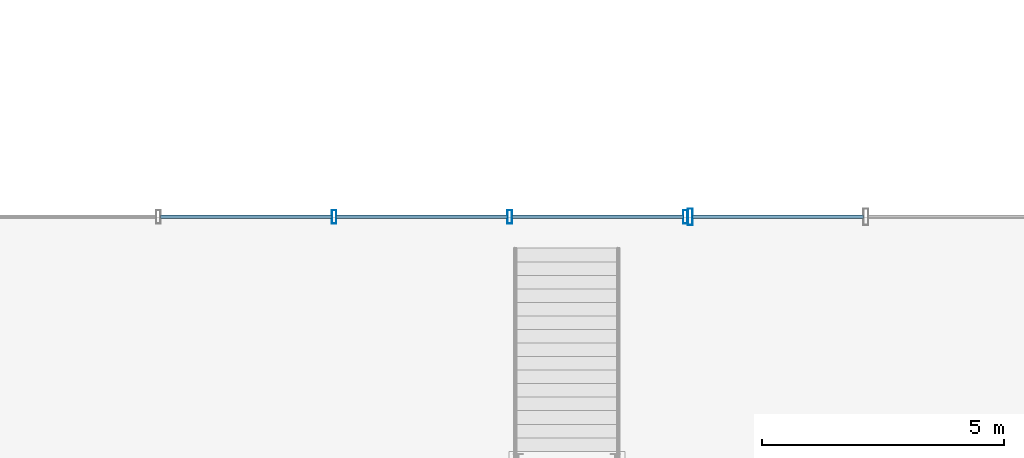
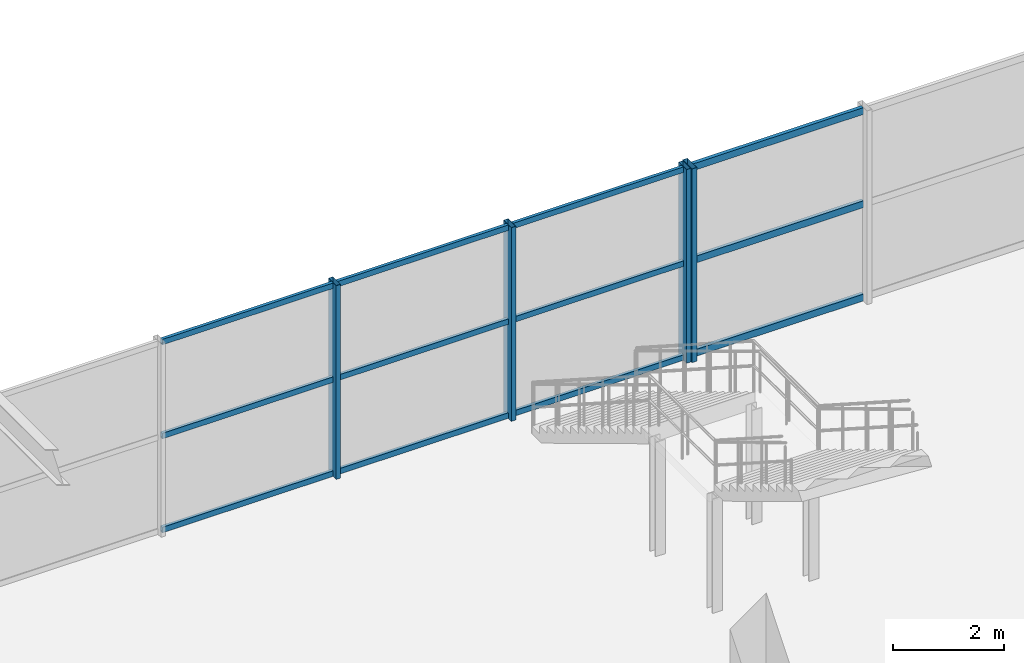
# One storey, part 26 of 113: 16 members, 2 elements without a shape of their own.
"""IFC4 building model written with IfcOpenShell, lengths in metres."""

from ifc_helpers import new_model, si_unit, direction, frame, origin, origin_2d, place, context, subcontext, project, spatial, hollow_rectangle, extrude, material, layer, layer_set, material_profile, profile_set, type_object, element, aggregate, save


model = new_model("IFC4")

# Units and contexts
model_context = context("Model", 3, precision=1e-05, world=origin(), true_north=direction((0.0, 1.0)))
body_context = subcontext(model_context, "Body", "Model", "MODEL_VIEW")
ifc_project = project(units=[si_unit("LENGTHUNIT", "METRE"), si_unit("AREAUNIT", "SQUARE_METRE"), si_unit("VOLUMEUNIT", "CUBIC_METRE"), si_unit("PLANEANGLEUNIT", "RADIAN"), si_unit("MASSUNIT", "GRAM", prefix="KILO"), si_unit("POWERUNIT", "WATT"), si_unit("THERMODYNAMICTEMPERATUREUNIT", "KELVIN")], contexts=[model_context])

# Site, building, storey
site_placement = place(None, origin())
site = spatial("IfcSite", under=ifc_project, at=site_placement, CompositionType="ELEMENT")
building_placement = place(site_placement, origin())
building = spatial("IfcBuilding", under=site, at=building_placement, Name="Kelmbourne Parkland Aquatics Centre", CompositionType="ELEMENT")
storey_placement = place(building_placement, origin())
storey = spatial("IfcBuildingStorey", under=building, at=storey_placement, Name="L00", CompositionType="ELEMENT", Elevation=0.0)

# Curtain wall, members
ifc_material = material(Name="Thermally broken anodised aluminium framing", Category="aluminium")
ifc_layer_1 = layer(ifc_material, 0.179931640625)
ifc_layer_set_1 = layer_set([ifc_layer_1], Name="Thermally broken anodised aluminium framing")
curtain_wall_type_1 = type_object("IfcCurtainWallType", Name="CW-24", PredefinedType="NOTDEFINED", material=ifc_layer_set_1)
curtain_wall_1_placement = place(storey_placement, origin())
curtain_wall_1 = element("IfcCurtainWall", 1, at=curtain_wall_1_placement, inside=storey, type_object=curtain_wall_type_1, Name="Facade curtain wall CW-L00-168", PredefinedType="NOTDEFINED")
ifc_material_profile_1 = material_profile(ifc_material, hollow_rectangle(XDim=0.094970703125, YDim=0.280029296875, WallThickness=0.005615234375, at=origin_2d()), Name="CW-M 95x280")
ifc_profile_set_1 = profile_set([ifc_material_profile_1], Name="Thermally broken anodised aluminium framing")
member_type_1 = type_object("IfcMemberType", Name="MB-MUL-4", PredefinedType="MULLION", material=ifc_profile_set_1)
member_1_placement = place(storey_placement, frame((53.6884765625, 23.60009765625, 0.0), z_axis=(0.0, 0.0, 1.0), x_axis=(1.0, 0.0, 0.0)))
member_1 = element("IfcMember", 2, at=member_1_placement, type_object=member_type_1, Name="CW-L00-168 mullion 2", PredefinedType="MULLION", context=body_context, shape_type="SweptSolid", body=[
    extrude(hollow_rectangle(XDim=0.094970703125, YDim=0.280029296875, WallThickness=0.005615234375, at=origin_2d()), origin(), (0.0, 0.0, 1.0), 4.2451171875),
])
member_2_placement = place(storey_placement, frame((57.320556640625, 23.60009765625, 0.0), z_axis=(0.0, 0.0, 1.0), x_axis=(1.0, 0.0, 0.0)))
member_2 = element("IfcMember", 3, at=member_2_placement, type_object=member_type_1, Name="CW-L00-168 mullion 3", PredefinedType="MULLION", context=body_context, shape_type="SweptSolid", body=[
    extrude(hollow_rectangle(XDim=0.094970703125, YDim=0.280029296875, WallThickness=0.005615234375, at=origin_2d()), origin(), (0.0, 0.0, 1.0), 4.2451171875),
])
member_3_placement = place(storey_placement, frame((60.952392578125, 23.60009765625, 0.0), z_axis=(0.0, 0.0, 1.0), x_axis=(1.0, 0.0, 0.0)))
member_3 = element("IfcMember", 4, at=member_3_placement, type_object=member_type_1, Name="CW-L00-168 mullion 4", PredefinedType="MULLION", context=body_context, shape_type="SweptSolid", body=[
    extrude(hollow_rectangle(XDim=0.094970703125, YDim=0.280029296875, WallThickness=0.005615234375, at=origin_2d()), origin(), (0.0, 0.0, 1.0), 4.2451171875),
])

# Curtain wall, member
ifc_layer_2 = layer(ifc_material, 0.179931640625)
ifc_layer_set_2 = layer_set([ifc_layer_2], Name="Thermally broken anodised aluminium framing")
curtain_wall_type_2 = type_object("IfcCurtainWallType", Name="CW-01", PredefinedType="NOTDEFINED", material=ifc_layer_set_2)
curtain_wall_2_placement = place(storey_placement, origin())
curtain_wall_2 = element("IfcCurtainWall", 5, at=curtain_wall_2_placement, inside=storey, type_object=curtain_wall_type_2, Name="Facade curtain wall CW-L00-169", PredefinedType="NOTDEFINED")
ifc_material_profile_2 = material_profile(ifc_material, hollow_rectangle(XDim=0.10498046875, YDim=0.340087890625, WallThickness=0.006103515625, at=origin_2d()), Name="CW-M 105x340")
ifc_profile_set_2 = profile_set([ifc_material_profile_2], Name="Thermally broken anodised aluminium framing")
member_type_2 = type_object("IfcMemberType", Name="MB-MUL-5", PredefinedType="MULLION", material=ifc_profile_set_2)
member_4_placement = place(storey_placement, frame((61.052490234375, 23.60009765625, 0.0), z_axis=(0.0, 0.0, 1.0), x_axis=(1.0, 0.0, 0.0)))
member_4 = element("IfcMember", 6, at=member_4_placement, type_object=member_type_2, Name="CW-L00-169 mullion 0", PredefinedType="MULLION", context=body_context, shape_type="SweptSolid", body=[
    extrude(hollow_rectangle(XDim=0.10498046875, YDim=0.340087890625, WallThickness=0.006103515625, at=origin_2d()), origin(), (0.0, 0.0, 1.0), 4.2451171875),
])

# Member
ifc_material_profile_3 = material_profile(ifc_material, hollow_rectangle(XDim=0.06494140625, YDim=0.1201171875, WallThickness=0.00341796875, at=origin_2d()), Name="CW-T 65x120")
ifc_profile_set_3 = profile_set([ifc_material_profile_3], Name="Thermally broken anodised aluminium framing")
member_type_3 = type_object("IfcMemberType", Name="MB-TRN-1", PredefinedType="USERDEFINED", material=ifc_profile_set_3)
member_5_placement = place(storey_placement, frame((50.10009765625, 23.60009765625, 0.06298828125), z_axis=(1.0, 0.0, 0.0), x_axis=(0.0, 1.0, 0.0)))
member_5 = element("IfcMember", 7, at=member_5_placement, type_object=member_type_3, Name="CW-L00-168 transom 0-1", ObjectType="TRANSOM", PredefinedType="USERDEFINED", context=body_context, shape_type="SweptSolid", body=[
    extrude(hollow_rectangle(XDim=0.06494140625, YDim=0.1201171875, WallThickness=0.00341796875, at=origin_2d()), origin(), (0.0, 0.0, 1.0), 3.544921875),
])

member_6_placement = place(storey_placement, frame((53.73193359375, 23.60009765625, 0.06298828125), z_axis=(1.0, 0.0, 0.0), x_axis=(0.0, 1.0, 0.0)))
member_6 = element("IfcMember", 8, at=member_6_placement, type_object=member_type_3, Name="CW-L00-168 transom 0-2", ObjectType="TRANSOM", PredefinedType="USERDEFINED", context=body_context, shape_type="SweptSolid", body=[
    extrude(hollow_rectangle(XDim=0.06494140625, YDim=0.1201171875, WallThickness=0.00341796875, at=origin_2d()), origin(), (0.0, 0.0, 1.0), 3.545166015625),
])

member_7_placement = place(storey_placement, frame((57.364013671875, 23.60009765625, 0.06298828125), z_axis=(1.0, 0.0, 0.0), x_axis=(0.0, 1.0, 0.0)))
member_7 = element("IfcMember", 9, at=member_7_placement, type_object=member_type_3, Name="CW-L00-168 transom 0-3", ObjectType="TRANSOM", PredefinedType="USERDEFINED", context=body_context, shape_type="SweptSolid", body=[
    extrude(hollow_rectangle(XDim=0.06494140625, YDim=0.1201171875, WallThickness=0.00341796875, at=origin_2d()), origin(), (0.0, 0.0, 1.0), 3.544921875),
])

member_8_placement = place(storey_placement, frame((50.10009765625, 23.60009765625, 2.12255859375), z_axis=(1.0, 0.0, 0.0), x_axis=(0.0, 1.0, 0.0)))
member_8 = element("IfcMember", 10, at=member_8_placement, type_object=member_type_3, Name="CW-L00-168 transom 1-1", ObjectType="TRANSOM", PredefinedType="USERDEFINED", context=body_context, shape_type="SweptSolid", body=[
    extrude(hollow_rectangle(XDim=0.06494140625, YDim=0.1201171875, WallThickness=0.00341796875, at=origin_2d()), origin(), (0.0, 0.0, 1.0), 3.544921875),
])

member_9_placement = place(storey_placement, frame((53.73193359375, 23.60009765625, 2.12255859375), z_axis=(1.0, 0.0, 0.0), x_axis=(0.0, 1.0, 0.0)))
member_9 = element("IfcMember", 11, at=member_9_placement, type_object=member_type_3, Name="CW-L00-168 transom 1-2", ObjectType="TRANSOM", PredefinedType="USERDEFINED", context=body_context, shape_type="SweptSolid", body=[
    extrude(hollow_rectangle(XDim=0.06494140625, YDim=0.1201171875, WallThickness=0.00341796875, at=origin_2d()), origin(), (0.0, 0.0, 1.0), 3.545166015625),
])

member_10_placement = place(storey_placement, frame((57.364013671875, 23.60009765625, 2.12255859375), z_axis=(1.0, 0.0, 0.0), x_axis=(0.0, 1.0, 0.0)))
member_10 = element("IfcMember", 12, at=member_10_placement, type_object=member_type_3, Name="CW-L00-168 transom 1-3", ObjectType="TRANSOM", PredefinedType="USERDEFINED", context=body_context, shape_type="SweptSolid", body=[
    extrude(hollow_rectangle(XDim=0.06494140625, YDim=0.1201171875, WallThickness=0.00341796875, at=origin_2d()), origin(), (0.0, 0.0, 1.0), 3.544921875),
])

member_11_placement = place(storey_placement, frame((50.10009765625, 23.60009765625, 4.181884765625), z_axis=(1.0, 0.0, 0.0), x_axis=(0.0, 1.0, 0.0)))
member_11 = element("IfcMember", 13, at=member_11_placement, type_object=member_type_3, Name="CW-L00-168 transom 2-1", ObjectType="TRANSOM", PredefinedType="USERDEFINED", context=body_context, shape_type="SweptSolid", body=[
    extrude(hollow_rectangle(XDim=0.06494140625, YDim=0.1201171875, WallThickness=0.00341796875, at=origin_2d()), origin(), (0.0, 0.0, 1.0), 3.544921875),
])

member_12_placement = place(storey_placement, frame((53.73193359375, 23.60009765625, 4.181884765625), z_axis=(1.0, 0.0, 0.0), x_axis=(0.0, 1.0, 0.0)))
member_12 = element("IfcMember", 14, at=member_12_placement, type_object=member_type_3, Name="CW-L00-168 transom 2-2", ObjectType="TRANSOM", PredefinedType="USERDEFINED", context=body_context, shape_type="SweptSolid", body=[
    extrude(hollow_rectangle(XDim=0.06494140625, YDim=0.1201171875, WallThickness=0.00341796875, at=origin_2d()), origin(), (0.0, 0.0, 1.0), 3.545166015625),
])

member_13_placement = place(storey_placement, frame((57.364013671875, 23.60009765625, 4.181884765625), z_axis=(1.0, 0.0, 0.0), x_axis=(0.0, 1.0, 0.0)))
member_13 = element("IfcMember", 15, at=member_13_placement, type_object=member_type_3, Name="CW-L00-168 transom 2-3", ObjectType="TRANSOM", PredefinedType="USERDEFINED", context=body_context, shape_type="SweptSolid", body=[
    extrude(hollow_rectangle(XDim=0.06494140625, YDim=0.1201171875, WallThickness=0.00341796875, at=origin_2d()), origin(), (0.0, 0.0, 1.0), 3.544921875),
])

aggregate(curtain_wall_1, [member_1, member_2, member_3, member_5, member_6, member_7, member_8, member_9, member_10, member_11, member_12, member_13])

ifc_material_profile_4 = material_profile(ifc_material, hollow_rectangle(XDim=0.074951171875, YDim=0.14990234375, WallThickness=0.00390625, at=origin_2d()), Name="CW-T 75x150")
ifc_profile_set_4 = profile_set([ifc_material_profile_4], Name="Thermally broken anodised aluminium framing")
member_type_4 = type_object("IfcMemberType", Name="MB-TRN-2", PredefinedType="USERDEFINED", material=ifc_profile_set_4)
member_14_placement = place(storey_placement, frame((61.10107421875, 23.60009765625, 0.077880859375), z_axis=(1.0, 0.0, 0.0), x_axis=(0.0, 1.0, 0.0)))
member_14 = element("IfcMember", 16, at=member_14_placement, type_object=member_type_4, Name="CW-L00-169 transom 0-0", ObjectType="TRANSOM", PredefinedType="USERDEFINED", context=body_context, shape_type="SweptSolid", body=[
    extrude(hollow_rectangle(XDim=0.074951171875, YDim=0.14990234375, WallThickness=0.00390625, at=origin_2d()), origin(), (0.0, 0.0, 1.0), 3.532470703125),
])

member_15_placement = place(storey_placement, frame((61.10107421875, 23.60009765625, 2.12255859375), z_axis=(1.0, 0.0, 0.0), x_axis=(0.0, 1.0, 0.0)))
member_15 = element("IfcMember", 17, at=member_15_placement, type_object=member_type_4, Name="CW-L00-169 transom 1-0", ObjectType="TRANSOM", PredefinedType="USERDEFINED", context=body_context, shape_type="SweptSolid", body=[
    extrude(hollow_rectangle(XDim=0.074951171875, YDim=0.14990234375, WallThickness=0.00390625, at=origin_2d()), origin(), (0.0, 0.0, 1.0), 3.532470703125),
])

member_16_placement = place(storey_placement, frame((61.10107421875, 23.60009765625, 4.1669921875), z_axis=(1.0, 0.0, 0.0), x_axis=(0.0, 1.0, 0.0)))
member_16 = element("IfcMember", 18, at=member_16_placement, type_object=member_type_4, Name="CW-L00-169 transom 2-0", ObjectType="TRANSOM", PredefinedType="USERDEFINED", context=body_context, shape_type="SweptSolid", body=[
    extrude(hollow_rectangle(XDim=0.074951171875, YDim=0.14990234375, WallThickness=0.00390625, at=origin_2d()), origin(), (0.0, 0.0, 1.0), 3.532470703125),
])

aggregate(curtain_wall_2, [member_4, member_14, member_15, member_16])

save(model, "model.ifc")
